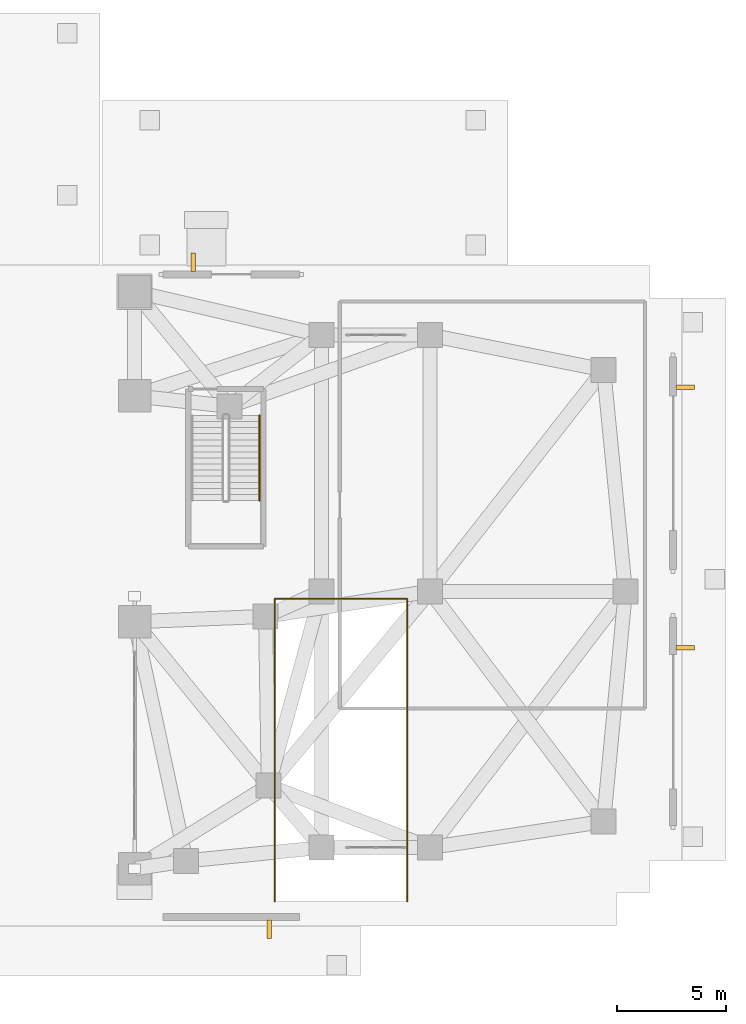
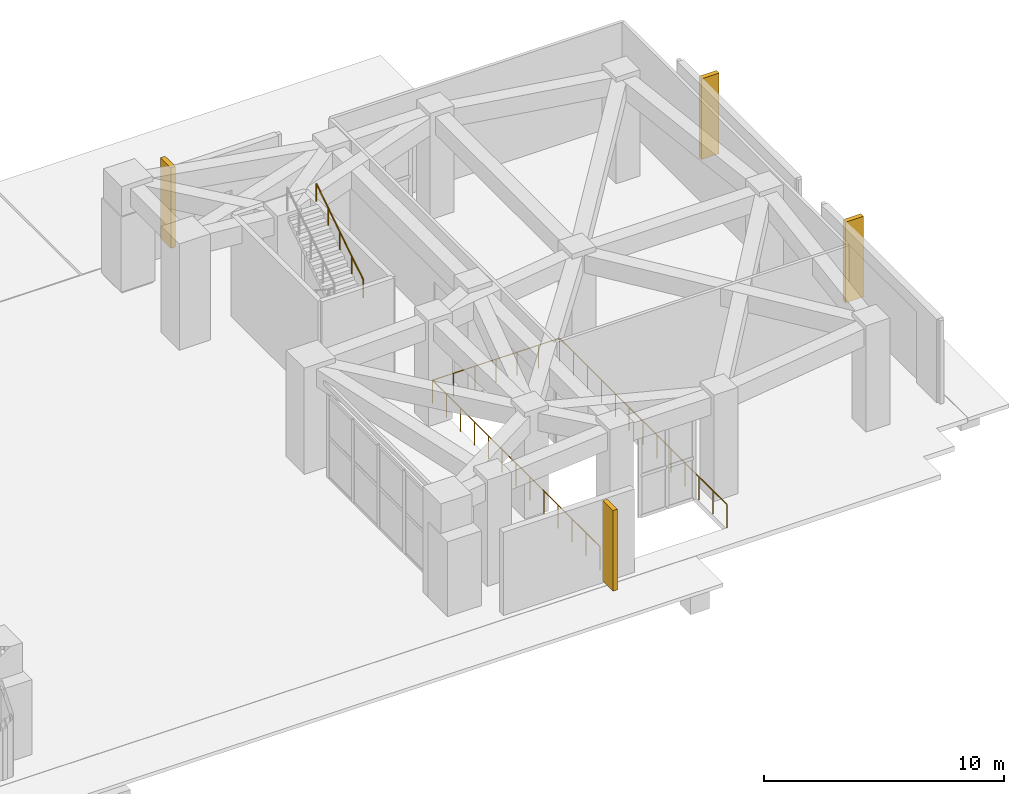
# One storey, part 19 of 19: 4 railings, 4 shading devices.
"""IFC4 building model written with IfcOpenShell, lengths in metres."""

from ifc_helpers import new_model, si_unit, direction, frame, origin, origin_2d, place, context, subcontext, project, spatial, rectangle, circle, extrude, material, type_object, element, save


model = new_model("IFC4")

# Units and contexts
model_context = context("Model", 3, precision=1e-05, world=origin(), true_north=direction((0.0, 1.0)))
body_context = subcontext(model_context, "Body", "Model", "MODEL_VIEW")
ifc_project = project(units=[si_unit("LENGTHUNIT", "METRE"), si_unit("AREAUNIT", "SQUARE_METRE"), si_unit("VOLUMEUNIT", "CUBIC_METRE"), si_unit("PLANEANGLEUNIT", "RADIAN"), si_unit("MASSUNIT", "GRAM", prefix="KILO")], contexts=[model_context])

# Site, building, storey
site_placement = place(None, origin())
site = spatial("IfcSite", under=ifc_project, at=site_placement, CompositionType="ELEMENT")
building_placement = place(site_placement, origin())
building = spatial("IfcBuilding", under=site, at=building_placement, Name="Gaonmaruhae Medical Tower", CompositionType="ELEMENT")
storey_placement = place(building_placement, origin())
storey = spatial("IfcBuildingStorey", under=building, at=storey_placement, Name="L00", CompositionType="ELEMENT", Elevation=0.0)

# Railing
ifc_material_1 = material(Name="Stainless steel 304 handrail", Category="steel")
railing_type_1 = type_object("IfcRailingType", Name="HR-092 Continuous Stainless Steel Stair Handrail", PredefinedType="HANDRAIL", material=ifc_material_1)
railing_1_placement = place(storey_placement, frame((63.35009765625, 19.580078125, 2.8798828125)))
element("IfcRailing", 1, at=railing_1_placement, inside=storey, type_object=railing_type_1, Name="L00 ST-04 stair handrail 2", PredefinedType="HANDRAIL", context=body_context, shape_type="SweptSolid", body=[
    extrude(circle(Radius=0.02392578125, at=origin_2d()), frame((0.0, 0.0, 0.8759765625), z_axis=(0.0, 0.841171666519, 0.540768182723), x_axis=(-1.0, 0.0, 0.0)), (0.0, 0.0, 1.0), 4.66015625),
    extrude(circle(Radius=0.02099609375, at=origin_2d()), origin(), (0.0, 0.0, 1.0), 0.851806640625),
    extrude(circle(Radius=0.02099609375, at=origin_2d()), frame((0.0, 0.97998046875, 0.6298828125)), (0.0, 0.0, 1.0), 0.851806640625),
    extrude(circle(Radius=0.02099609375, at=origin_2d()), frame((0.0, 1.9599609375, 1.260009765625)), (0.0, 0.0, 1.0), 0.851806640625),
    extrude(circle(Radius=0.02099609375, at=origin_2d()), frame((0.0, 2.93994140625, 1.89013671875)), (0.0, 0.0, 1.0), 0.851806640625),
    extrude(circle(Radius=0.02099609375, at=origin_2d()), frame((0.0, 3.919921875, 2.52001953125)), (0.0, 0.0, 1.0), 0.851806640625),
])

# Shading devices
ifc_material_2 = material(Name="Pigmented coral precast concrete C45/55", Category="concrete")
shading_device_type = type_object("IfcShadingDeviceType", Name="SD-FIN2 Podium Vertical Coral Precast Shading Fin", PredefinedType="USERDEFINED", material=ifc_material_2)
for number, where, z_axis, x_axis, name in (
    (2, (63.800048828125, -0.1650390625, 0.06494140625), (0.0, 0.0, 1.0), (-1.0, 0.0, 0.0), "L00 Podium Coral Precast Shading Fin PB-S4"),
    (3, (82.965087890625, 12.800048828125, 0.06494140625), (0.0, 0.0, 1.0), (0.0, -1.0, 0.0), "L00 Podium Coral Precast Shading Fin PB-E1"),
    (4, (82.965087890625, 24.800048828125, 0.06494140625), (0.0, 0.0, 1.0), (0.0, -1.0, 0.0), "L00 Podium Coral Precast Shading Fin PB-E2"),
    (5, (60.300048828125, 30.56494140625, 0.06494140625), (0.0, 0.0, 1.0), (1.0, 0.0, 0.0), "L00 Podium Coral Precast Shading Fin PB-N1"),
):
    element("IfcShadingDevice", number, at=place(storey_placement, frame(where, z_axis=z_axis, x_axis=x_axis)), inside=storey, type_object=shading_device_type, Name=name, ObjectType="FIN", PredefinedType="USERDEFINED", context=body_context, shape_type="SweptSolid", body=[
        extrude(rectangle(XDim=0.219970703125, YDim=0.85009765625, at=origin_2d()), origin(), (0.0, 0.0, 1.0), 4.10009765625),
    ])

# Railings
ifc_material_3 = material(Name="Stainless steel 304 balustrade", Category="steel")
railing_type_2 = type_object("IfcRailingType", Name="SG-112 Stair Well & Ramp Void Safety Balustrade", PredefinedType="BALUSTRADE", material=ifc_material_3)
railing_2_placement = place(storey_placement, frame((64.050048828125, 1.1201171875, 0.0)))
element("IfcRailing", 6, at=railing_2_placement, inside=storey, type_object=railing_type_2, Name="L00 Ramp Void Deck Guard 1", PredefinedType="BALUSTRADE", context=body_context, shape_type="SweptSolid", body=[
    extrude(circle(Radius=0.02392578125, at=origin_2d()), frame((0.0, 0.0, 1.17578125), z_axis=(0.0, 1.0, 0.0), x_axis=(-1.0, 0.0, 0.0)), (0.0, 0.0, 1.0), 13.929931640625),
    extrude(circle(Radius=0.02099609375, at=origin_2d()), origin(), (0.0, 0.0, 1.0), 1.15185546875),
    extrude(circle(Radius=0.02099609375, at=origin_2d()), frame((0.0, 1.160888671875, 0.0)), (0.0, 0.0, 1.0), 1.15185546875),
    extrude(circle(Radius=0.02099609375, at=origin_2d()), frame((0.0, 2.32177734375, 0.0)), (0.0, 0.0, 1.0), 1.15185546875),
    extrude(circle(Radius=0.02099609375, at=origin_2d()), frame((0.0, 3.482421875, 0.0)), (0.0, 0.0, 1.0), 1.15185546875),
    extrude(circle(Radius=0.02099609375, at=origin_2d()), frame((0.0, 4.643310546875, 0.0)), (0.0, 0.0, 1.0), 1.15185546875),
    extrude(circle(Radius=0.02099609375, at=origin_2d()), frame((0.0, 5.80419921875, 0.0)), (0.0, 0.0, 1.0), 1.15185546875),
    extrude(circle(Radius=0.02099609375, at=origin_2d()), frame((0.0, 6.96484375, 0.0)), (0.0, 0.0, 1.0), 1.15185546875),
    extrude(circle(Radius=0.02099609375, at=origin_2d()), frame((0.0, 8.125732421875, 0.0)), (0.0, 0.0, 1.0), 1.15185546875),
    extrude(circle(Radius=0.02099609375, at=origin_2d()), frame((0.0, 9.28662109375, 0.0)), (0.0, 0.0, 1.0), 1.15185546875),
    extrude(circle(Radius=0.02099609375, at=origin_2d()), frame((0.0, 10.447509765625, 0.0)), (0.0, 0.0, 1.0), 1.15185546875),
    extrude(circle(Radius=0.02099609375, at=origin_2d()), frame((0.0, 11.6083984375, 0.0)), (0.0, 0.0, 1.0), 1.15185546875),
    extrude(circle(Radius=0.02099609375, at=origin_2d()), frame((0.0, 12.76904296875, 0.0)), (0.0, 0.0, 1.0), 1.15185546875),
    extrude(circle(Radius=0.02099609375, at=origin_2d()), frame((0.0, 13.929931640625, 0.0)), (0.0, 0.0, 1.0), 1.15185546875),
])
railing_3_placement = place(storey_placement, frame((64.050048828125, 15.050048828125, 0.0)))
element("IfcRailing", 7, at=railing_3_placement, inside=storey, type_object=railing_type_2, Name="L00 Ramp Void Deck Guard 2", PredefinedType="BALUSTRADE", context=body_context, shape_type="SweptSolid", body=[
    extrude(circle(Radius=0.02392578125, at=origin_2d()), frame((0.0, 0.0, 1.17578125), z_axis=(1.0, 0.0, 0.0), x_axis=(0.0, 1.0, 0.0)), (0.0, 0.0, 1.0), 6.099853515625),
    extrude(circle(Radius=0.02099609375, at=origin_2d()), origin(), (0.0, 0.0, 1.0), 1.15185546875),
    extrude(circle(Radius=0.02099609375, at=origin_2d()), frame((1.0166015625, 0.0, 0.0)), (0.0, 0.0, 1.0), 1.15185546875),
    extrude(circle(Radius=0.02099609375, at=origin_2d()), frame((2.033203125, 0.0, 0.0)), (0.0, 0.0, 1.0), 1.15185546875),
    extrude(circle(Radius=0.02099609375, at=origin_2d()), frame((3.0498046875, 0.0, 0.0)), (0.0, 0.0, 1.0), 1.15185546875),
    extrude(circle(Radius=0.02099609375, at=origin_2d()), frame((4.066650390625, 0.0, 0.0)), (0.0, 0.0, 1.0), 1.15185546875),
    extrude(circle(Radius=0.02099609375, at=origin_2d()), frame((5.083251953125, 0.0, 0.0)), (0.0, 0.0, 1.0), 1.15185546875),
    extrude(circle(Radius=0.02099609375, at=origin_2d()), frame((6.099853515625, 0.0, 0.0)), (0.0, 0.0, 1.0), 1.15185546875),
])
railing_4_placement = place(storey_placement, frame((70.14990234375, 15.050048828125, 0.0)))
element("IfcRailing", 8, at=railing_4_placement, inside=storey, type_object=railing_type_2, Name="L00 Ramp Void Deck Guard 3", PredefinedType="BALUSTRADE", context=body_context, shape_type="SweptSolid", body=[
    extrude(circle(Radius=0.02392578125, at=origin_2d()), frame((0.0, 0.0, 1.17578125), z_axis=(0.0, -1.0, 0.0), x_axis=(1.0, 0.0, 0.0)), (0.0, 0.0, 1.0), 13.929931640625),
    extrude(circle(Radius=0.02099609375, at=origin_2d()), origin(), (0.0, 0.0, 1.0), 1.15185546875),
    extrude(circle(Radius=0.02099609375, at=origin_2d()), frame((0.0, -1.160888671875, 0.0)), (0.0, 0.0, 1.0), 1.15185546875),
    extrude(circle(Radius=0.02099609375, at=origin_2d()), frame((0.0, -2.32177734375, 0.0)), (0.0, 0.0, 1.0), 1.15185546875),
    extrude(circle(Radius=0.02099609375, at=origin_2d()), frame((0.0, -3.482421875, 0.0)), (0.0, 0.0, 1.0), 1.15185546875),
    extrude(circle(Radius=0.02099609375, at=origin_2d()), frame((0.0, -4.643310546875, 0.0)), (0.0, 0.0, 1.0), 1.15185546875),
    extrude(circle(Radius=0.02099609375, at=origin_2d()), frame((0.0, -5.80419921875, 0.0)), (0.0, 0.0, 1.0), 1.15185546875),
    extrude(circle(Radius=0.02099609375, at=origin_2d()), frame((0.0, -6.96484375, 0.0)), (0.0, 0.0, 1.0), 1.15185546875),
    extrude(circle(Radius=0.02099609375, at=origin_2d()), frame((0.0, -8.125732421875, 0.0)), (0.0, 0.0, 1.0), 1.15185546875),
    extrude(circle(Radius=0.02099609375, at=origin_2d()), frame((0.0, -9.28662109375, 0.0)), (0.0, 0.0, 1.0), 1.15185546875),
    extrude(circle(Radius=0.02099609375, at=origin_2d()), frame((0.0, -10.447509765625, 0.0)), (0.0, 0.0, 1.0), 1.15185546875),
    extrude(circle(Radius=0.02099609375, at=origin_2d()), frame((0.0, -11.6083984375, 0.0)), (0.0, 0.0, 1.0), 1.15185546875),
    extrude(circle(Radius=0.02099609375, at=origin_2d()), frame((0.0, -12.76904296875, 0.0)), (0.0, 0.0, 1.0), 1.15185546875),
    extrude(circle(Radius=0.02099609375, at=origin_2d()), frame((0.0, -13.929931640625, 0.0)), (0.0, 0.0, 1.0), 1.15185546875),
])

save(model, "model.ifc")
